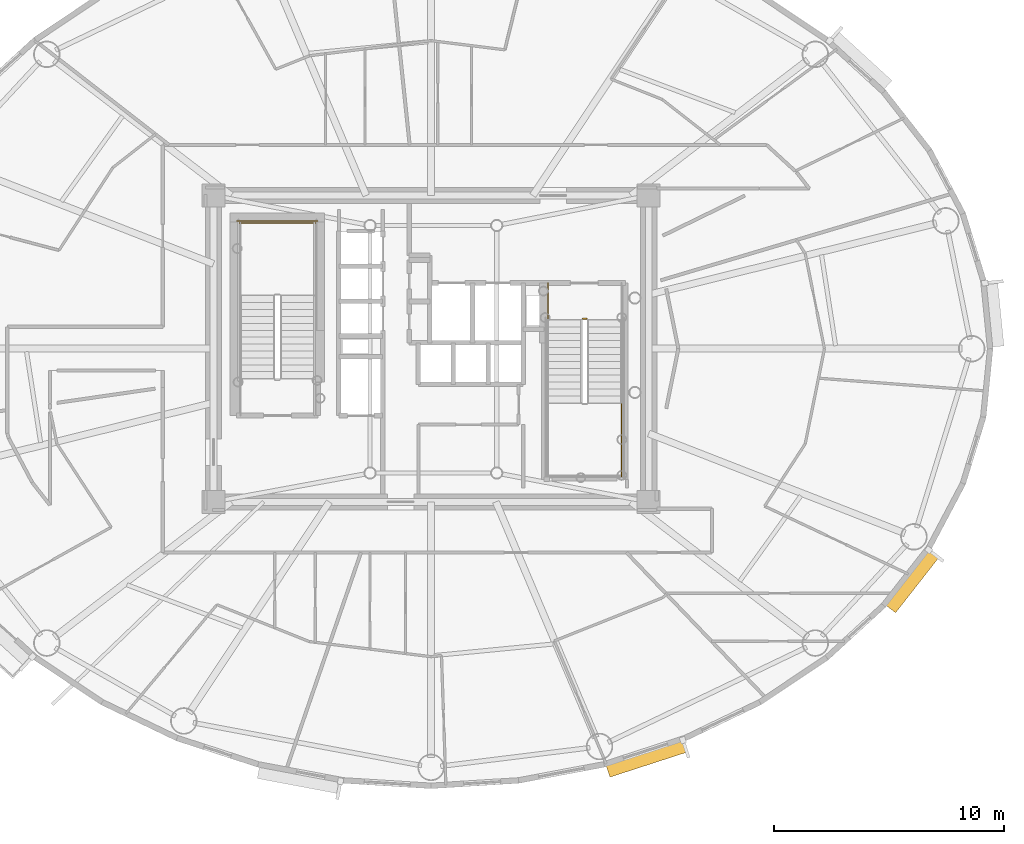
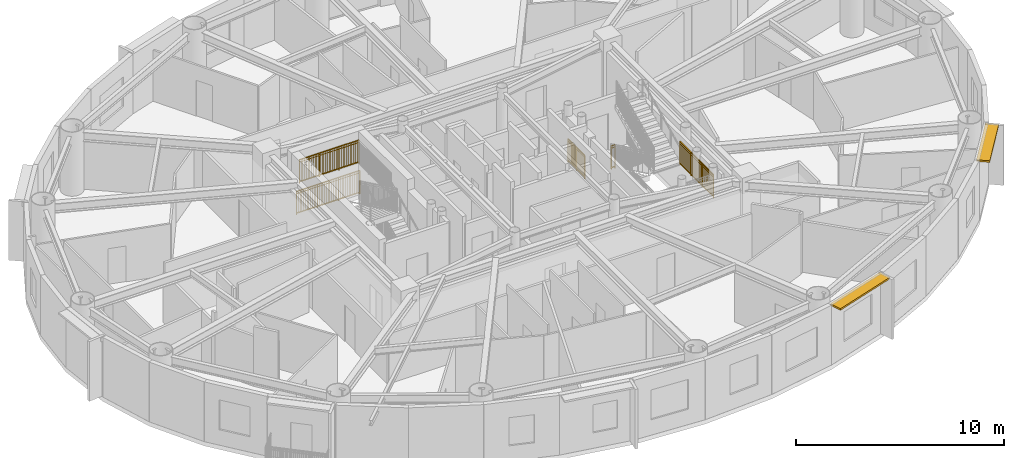
# One storey, part 16 of 18: 5 railings, 2 shading devices.
"""IFC4 building model written with IfcOpenShell, lengths in metres."""

from ifc_helpers import new_model, si_unit, direction, frame, origin, origin_2d, place, context, subcontext, project, spatial, rectangle, extrude, source, transform, mapped, material, layer, layer_set, type_object, element, save


model = new_model("IFC4")

# Units and contexts
model_context = context("Model", 3, precision=1e-05, world=origin(), true_north=direction((0.0, 1.0)))
body_context = subcontext(model_context, "Body", "Model", "MODEL_VIEW")
ifc_project = project(units=[si_unit("LENGTHUNIT", "METRE"), si_unit("AREAUNIT", "SQUARE_METRE"), si_unit("VOLUMEUNIT", "CUBIC_METRE"), si_unit("PLANEANGLEUNIT", "RADIAN"), si_unit("MASSUNIT", "GRAM", prefix="KILO")], contexts=[model_context])

# Site, building, storey
site_placement = place(None, origin())
site = spatial("IfcSite", under=ifc_project, at=site_placement, CompositionType="ELEMENT")
building_placement = place(site_placement, origin())
building = spatial("IfcBuilding", under=site, at=building_placement, Name="Linh Dai School and Residence Tower", CompositionType="ELEMENT")
storey_placement = place(building_placement, frame((0.0, 0.0, 240.300048828125)))
storey = spatial("IfcBuildingStorey", under=building, at=storey_placement, Name="L59", CompositionType="ELEMENT", Elevation=240.300048828125)

# Shading devices
ifc_material_1 = material(Name="Terracotta Ceramic Sunshade", Category="masonry")
ifc_layer = layer(ifc_material_1, 0.10009765625)
ifc_layer_set = layer_set([ifc_layer], Name="Terracotta Ceramic Sunshade")
shading_device_type = type_object("IfcShadingDeviceType", Name="SHD-TC-650", PredefinedType="USERDEFINED", material=ifc_layer_set)
shared_shape_1 = source(origin(), body_context, "Body", "SweptSolid", [
    extrude(rectangle(XDim=3.554443359375, YDim=0.64990234375, at=origin_2d()), origin(), (0.0, 0.0, 1.0), 0.10009765625),
])
shading_device_1_placement = place(storey_placement, frame((45.358154296875, 9.251220703125, 3.3798828125), z_axis=(0.0, 0.0, 1.0), x_axis=(-0.951223997135, -0.308501065272, 0.0)))
element("IfcShadingDevice", 1, at=shading_device_1_placement, inside=storey, type_object=shading_device_type, Name="L59 Terracotta Horizontal Sunshade Band 33", ObjectType="SUNSHADE", PredefinedType="USERDEFINED", context=body_context, shape_type="MappedRepresentation", body=[
    mapped(shared_shape_1, transform((0.0, 0.0, 0.0), x_axis=(1.0, 0.0, 0.0), y_axis=(0.0, 1.0, 0.0), z_axis=(0.0, 0.0, 1.0), scale=1.0)),
])
shared_shape_2 = source(origin(), body_context, "Body", "SweptSolid", [
    extrude(rectangle(XDim=3.095703125, YDim=0.64990234375, at=origin_2d()), origin(), (0.0, 0.0, 1.0), 0.10009765625),
])
shading_device_2_placement = place(storey_placement, frame((56.866455078125, 16.949462890625, 3.3798828125), z_axis=(0.0, 0.0, 1.0), x_axis=(-0.616333598027, -0.787485171888, 0.0)))
element("IfcShadingDevice", 2, at=shading_device_2_placement, inside=storey, type_object=shading_device_type, Name="L59 Terracotta Horizontal Sunshade Band 37", ObjectType="SUNSHADE", PredefinedType="USERDEFINED", context=body_context, shape_type="MappedRepresentation", body=[
    mapped(shared_shape_2, transform((0.0, 0.0, 0.0), x_axis=(1.0, 0.0, 0.0), y_axis=(0.0, 1.0, 0.0), z_axis=(0.0, 0.0, 1.0), scale=1.0)),
])

# Railings
ifc_material_2 = material(Name="Structural Steel S355JR", Category="steel")
railing_type = type_object("IfcRailingType", Name="RL-ST-GUARD-1400", PredefinedType="GUARDRAIL", material=ifc_material_2)
shared_shape_3 = source(origin(), body_context, "Body", "SweptSolid", [
    extrude(rectangle(XDim=0.048095703125, YDim=0.048095703125, at=origin_2d()), frame((0.0, 0.0, 1.3759765625), z_axis=(-1.0, 0.0, 0.0), x_axis=(0.0, -1.0, 0.0)), (0.0, 0.0, 1.0), 3.300048828125),
    extrude(rectangle(XDim=0.048095703125, YDim=0.048095703125, at=origin_2d()), frame((0.0, 0.0, 0.10009765625), z_axis=(-1.0, 0.0, 0.0), x_axis=(0.0, -1.0, 0.0)), (0.0, 0.0, 1.0), 3.300048828125),
    extrude(rectangle(XDim=0.030029296875, YDim=0.030029296875, at=origin_2d()), frame((0.0, 0.0, 1.239990234375), z_axis=(-1.0, 0.0, 0.0), x_axis=(0.0, -1.0, 0.0)), (0.0, 0.0, 1.0), 3.300048828125),
    extrude(rectangle(XDim=0.02001953125, YDim=0.02001953125, at=origin_2d()), frame((-0.09716796875, 0.0, 0.10009765625)), (0.0, 0.0, 1.0), 1.251708984375),
    extrude(rectangle(XDim=0.02001953125, YDim=0.02001953125, at=origin_2d()), frame((-0.194091796875, 0.0, 0.10009765625)), (0.0, 0.0, 1.0), 1.251708984375),
    extrude(rectangle(XDim=0.02001953125, YDim=0.02001953125, at=origin_2d()), frame((-0.291259765625, 0.0, 0.10009765625)), (0.0, 0.0, 1.0), 1.251708984375),
    extrude(rectangle(XDim=0.02001953125, YDim=0.02001953125, at=origin_2d()), frame((-0.38818359375, 0.0, 0.10009765625)), (0.0, 0.0, 1.0), 1.251708984375),
    extrude(rectangle(XDim=0.02001953125, YDim=0.02001953125, at=origin_2d()), frame((-0.4853515625, 0.0, 0.10009765625)), (0.0, 0.0, 1.0), 1.251708984375),
    extrude(rectangle(XDim=0.02001953125, YDim=0.02001953125, at=origin_2d()), frame((-0.582275390625, 0.0, 0.10009765625)), (0.0, 0.0, 1.0), 1.251708984375),
    extrude(rectangle(XDim=0.02001953125, YDim=0.02001953125, at=origin_2d()), frame((-0.679443359375, 0.0, 0.10009765625)), (0.0, 0.0, 1.0), 1.251708984375),
    extrude(rectangle(XDim=0.02001953125, YDim=0.02001953125, at=origin_2d()), frame((-0.7763671875, 0.0, 0.10009765625)), (0.0, 0.0, 1.0), 1.251708984375),
    extrude(rectangle(XDim=0.02001953125, YDim=0.02001953125, at=origin_2d()), frame((-0.87353515625, 0.0, 0.10009765625)), (0.0, 0.0, 1.0), 1.251708984375),
    extrude(rectangle(XDim=0.02001953125, YDim=0.02001953125, at=origin_2d()), frame((-0.970703125, 0.0, 0.10009765625)), (0.0, 0.0, 1.0), 1.251708984375),
    extrude(rectangle(XDim=0.02001953125, YDim=0.02001953125, at=origin_2d()), frame((-1.164794921875, 0.0, 0.10009765625)), (0.0, 0.0, 1.0), 1.251708984375),
    extrude(rectangle(XDim=0.02001953125, YDim=0.02001953125, at=origin_2d()), frame((-1.26171875, 0.0, 0.10009765625)), (0.0, 0.0, 1.0), 1.251708984375),
    extrude(rectangle(XDim=0.02001953125, YDim=0.02001953125, at=origin_2d()), frame((-1.35888671875, 0.0, 0.10009765625)), (0.0, 0.0, 1.0), 1.251708984375),
    extrude(rectangle(XDim=0.02001953125, YDim=0.02001953125, at=origin_2d()), frame((-1.455810546875, 0.0, 0.10009765625)), (0.0, 0.0, 1.0), 1.251708984375),
    extrude(rectangle(XDim=0.02001953125, YDim=0.02001953125, at=origin_2d()), frame((-1.552978515625, 0.0, 0.10009765625)), (0.0, 0.0, 1.0), 1.251708984375),
    extrude(rectangle(XDim=0.02001953125, YDim=0.02001953125, at=origin_2d()), frame((-1.64990234375, 0.0, 0.10009765625)), (0.0, 0.0, 1.0), 1.251708984375),
    extrude(rectangle(XDim=0.02001953125, YDim=0.02001953125, at=origin_2d()), frame((-1.7470703125, 0.0, 0.10009765625)), (0.0, 0.0, 1.0), 1.251708984375),
    extrude(rectangle(XDim=0.02001953125, YDim=0.02001953125, at=origin_2d()), frame((-1.84423828125, 0.0, 0.10009765625)), (0.0, 0.0, 1.0), 1.251708984375),
    extrude(rectangle(XDim=0.02001953125, YDim=0.02001953125, at=origin_2d()), frame((-1.941162109375, 0.0, 0.10009765625)), (0.0, 0.0, 1.0), 1.251708984375),
    extrude(rectangle(XDim=0.02001953125, YDim=0.02001953125, at=origin_2d()), frame((-2.038330078125, 0.0, 0.10009765625)), (0.0, 0.0, 1.0), 1.251708984375),
    extrude(rectangle(XDim=0.02001953125, YDim=0.02001953125, at=origin_2d()), frame((-2.13525390625, 0.0, 0.10009765625)), (0.0, 0.0, 1.0), 1.251708984375),
    extrude(rectangle(XDim=0.02001953125, YDim=0.02001953125, at=origin_2d()), frame((-2.329345703125, 0.0, 0.10009765625)), (0.0, 0.0, 1.0), 1.251708984375),
    extrude(rectangle(XDim=0.02001953125, YDim=0.02001953125, at=origin_2d()), frame((-2.426513671875, 0.0, 0.10009765625)), (0.0, 0.0, 1.0), 1.251708984375),
    extrude(rectangle(XDim=0.02001953125, YDim=0.02001953125, at=origin_2d()), frame((-2.523681640625, 0.0, 0.10009765625)), (0.0, 0.0, 1.0), 1.251708984375),
    extrude(rectangle(XDim=0.02001953125, YDim=0.02001953125, at=origin_2d()), frame((-2.62060546875, 0.0, 0.10009765625)), (0.0, 0.0, 1.0), 1.251708984375),
    extrude(rectangle(XDim=0.02001953125, YDim=0.02001953125, at=origin_2d()), frame((-2.7177734375, 0.0, 0.10009765625)), (0.0, 0.0, 1.0), 1.251708984375),
    extrude(rectangle(XDim=0.02001953125, YDim=0.02001953125, at=origin_2d()), frame((-2.814697265625, 0.0, 0.10009765625)), (0.0, 0.0, 1.0), 1.251708984375),
    extrude(rectangle(XDim=0.02001953125, YDim=0.02001953125, at=origin_2d()), frame((-2.911865234375, 0.0, 0.10009765625)), (0.0, 0.0, 1.0), 1.251708984375),
    extrude(rectangle(XDim=0.02001953125, YDim=0.02001953125, at=origin_2d()), frame((-3.0087890625, 0.0, 0.10009765625)), (0.0, 0.0, 1.0), 1.251708984375),
    extrude(rectangle(XDim=0.02001953125, YDim=0.02001953125, at=origin_2d()), frame((-3.10595703125, 0.0, 0.10009765625)), (0.0, 0.0, 1.0), 1.251708984375),
    extrude(rectangle(XDim=0.02001953125, YDim=0.02001953125, at=origin_2d()), frame((-3.202880859375, 0.0, 0.10009765625)), (0.0, 0.0, 1.0), 1.251708984375),
    extrude(rectangle(XDim=0.0419921875, YDim=0.0419921875, at=origin_2d()), origin(), (0.0, 0.0, 1.0), 1.3759765625),
    extrude(rectangle(XDim=0.0419921875, YDim=0.0419921875, at=origin_2d()), frame((-1.10009765625, 0.0, 0.0)), (0.0, 0.0, 1.0), 1.3759765625),
    extrude(rectangle(XDim=0.0419921875, YDim=0.0419921875, at=origin_2d()), frame((-2.199951171875, 0.0, 0.0)), (0.0, 0.0, 1.0), 1.3759765625),
    extrude(rectangle(XDim=0.0419921875, YDim=0.0419921875, at=origin_2d()), frame((-3.300048828125, 0.0, 0.0)), (0.0, 0.0, 1.0), 1.3759765625),
])
railing_1_placement = place(storey_placement, frame((30.97998046875, 32.449951171875, 1.875)))
element("IfcRailing", 3, at=railing_1_placement, inside=storey, type_object=railing_type, Name="L59 ST1 stair guard 5", PredefinedType="GUARDRAIL", context=body_context, shape_type="MappedRepresentation", body=[
    mapped(shared_shape_3, transform((0.0, 0.0, 0.0), x_axis=(1.0, 0.0, 0.0), y_axis=(0.0, 1.0, 0.0), z_axis=(0.0, 0.0, 1.0), scale=1.0)),
])
shared_shape_4 = source(origin(), body_context, "Body", "SweptSolid", [
    extrude(rectangle(XDim=0.048095703125, YDim=0.048095703125, at=origin_2d()), frame((0.0, 0.0, 1.3759765625), z_axis=(-1.0, 0.0, 0.0), x_axis=(0.0, -1.0, 0.0)), (0.0, 0.0, 1.0), 3.5),
    extrude(rectangle(XDim=0.048095703125, YDim=0.048095703125, at=origin_2d()), frame((0.0, 0.0, 0.10009765625), z_axis=(-1.0, 0.0, 0.0), x_axis=(0.0, -1.0, 0.0)), (0.0, 0.0, 1.0), 3.5),
    extrude(rectangle(XDim=0.030029296875, YDim=0.030029296875, at=origin_2d()), frame((0.0, 0.0, 1.239990234375), z_axis=(-1.0, 0.0, 0.0), x_axis=(0.0, -1.0, 0.0)), (0.0, 0.0, 1.0), 3.5),
    extrude(rectangle(XDim=0.02001953125, YDim=0.02001953125, at=origin_2d()), frame((-0.09716796875, 0.0, 0.10009765625)), (0.0, 0.0, 1.0), 1.251708984375),
    extrude(rectangle(XDim=0.02001953125, YDim=0.02001953125, at=origin_2d()), frame((-0.1943359375, 0.0, 0.10009765625)), (0.0, 0.0, 1.0), 1.251708984375),
    extrude(rectangle(XDim=0.02001953125, YDim=0.02001953125, at=origin_2d()), frame((-0.291748046875, 0.0, 0.10009765625)), (0.0, 0.0, 1.0), 1.251708984375),
    extrude(rectangle(XDim=0.02001953125, YDim=0.02001953125, at=origin_2d()), frame((-0.388916015625, 0.0, 0.10009765625)), (0.0, 0.0, 1.0), 1.251708984375),
    extrude(rectangle(XDim=0.02001953125, YDim=0.02001953125, at=origin_2d()), frame((-0.486083984375, 0.0, 0.10009765625)), (0.0, 0.0, 1.0), 1.251708984375),
    extrude(rectangle(XDim=0.02001953125, YDim=0.02001953125, at=origin_2d()), frame((-0.583251953125, 0.0, 0.10009765625)), (0.0, 0.0, 1.0), 1.251708984375),
    extrude(rectangle(XDim=0.02001953125, YDim=0.02001953125, at=origin_2d()), frame((-0.6806640625, 0.0, 0.10009765625)), (0.0, 0.0, 1.0), 1.251708984375),
    extrude(rectangle(XDim=0.02001953125, YDim=0.02001953125, at=origin_2d()), frame((-0.77783203125, 0.0, 0.10009765625)), (0.0, 0.0, 1.0), 1.251708984375),
    extrude(rectangle(XDim=0.02001953125, YDim=0.02001953125, at=origin_2d()), frame((-0.875, 0.0, 0.10009765625)), (0.0, 0.0, 1.0), 1.251708984375),
    extrude(rectangle(XDim=0.02001953125, YDim=0.02001953125, at=origin_2d()), frame((-0.97216796875, 0.0, 0.10009765625)), (0.0, 0.0, 1.0), 1.251708984375),
    extrude(rectangle(XDim=0.02001953125, YDim=0.02001953125, at=origin_2d()), frame((-1.0693359375, 0.0, 0.10009765625)), (0.0, 0.0, 1.0), 1.251708984375),
    extrude(rectangle(XDim=0.02001953125, YDim=0.02001953125, at=origin_2d()), frame((-1.263916015625, 0.0, 0.10009765625)), (0.0, 0.0, 1.0), 1.251708984375),
    extrude(rectangle(XDim=0.02001953125, YDim=0.02001953125, at=origin_2d()), frame((-1.361083984375, 0.0, 0.10009765625)), (0.0, 0.0, 1.0), 1.251708984375),
    extrude(rectangle(XDim=0.02001953125, YDim=0.02001953125, at=origin_2d()), frame((-1.458251953125, 0.0, 0.10009765625)), (0.0, 0.0, 1.0), 1.251708984375),
    extrude(rectangle(XDim=0.02001953125, YDim=0.02001953125, at=origin_2d()), frame((-1.5556640625, 0.0, 0.10009765625)), (0.0, 0.0, 1.0), 1.251708984375),
    extrude(rectangle(XDim=0.02001953125, YDim=0.02001953125, at=origin_2d()), frame((-1.65283203125, 0.0, 0.10009765625)), (0.0, 0.0, 1.0), 1.251708984375),
    extrude(rectangle(XDim=0.02001953125, YDim=0.02001953125, at=origin_2d()), frame((-1.75, 0.0, 0.10009765625)), (0.0, 0.0, 1.0), 1.251708984375),
    extrude(rectangle(XDim=0.02001953125, YDim=0.02001953125, at=origin_2d()), frame((-1.84716796875, 0.0, 0.10009765625)), (0.0, 0.0, 1.0), 1.251708984375),
    extrude(rectangle(XDim=0.02001953125, YDim=0.02001953125, at=origin_2d()), frame((-1.9443359375, 0.0, 0.10009765625)), (0.0, 0.0, 1.0), 1.251708984375),
    extrude(rectangle(XDim=0.02001953125, YDim=0.02001953125, at=origin_2d()), frame((-2.041748046875, 0.0, 0.10009765625)), (0.0, 0.0, 1.0), 1.251708984375),
    extrude(rectangle(XDim=0.02001953125, YDim=0.02001953125, at=origin_2d()), frame((-2.138916015625, 0.0, 0.10009765625)), (0.0, 0.0, 1.0), 1.251708984375),
    extrude(rectangle(XDim=0.02001953125, YDim=0.02001953125, at=origin_2d()), frame((-2.236083984375, 0.0, 0.10009765625)), (0.0, 0.0, 1.0), 1.251708984375),
    extrude(rectangle(XDim=0.02001953125, YDim=0.02001953125, at=origin_2d()), frame((-2.4306640625, 0.0, 0.10009765625)), (0.0, 0.0, 1.0), 1.251708984375),
    extrude(rectangle(XDim=0.02001953125, YDim=0.02001953125, at=origin_2d()), frame((-2.52783203125, 0.0, 0.10009765625)), (0.0, 0.0, 1.0), 1.251708984375),
    extrude(rectangle(XDim=0.02001953125, YDim=0.02001953125, at=origin_2d()), frame((-2.625, 0.0, 0.10009765625)), (0.0, 0.0, 1.0), 1.251708984375),
    extrude(rectangle(XDim=0.02001953125, YDim=0.02001953125, at=origin_2d()), frame((-2.72216796875, 0.0, 0.10009765625)), (0.0, 0.0, 1.0), 1.251708984375),
    extrude(rectangle(XDim=0.02001953125, YDim=0.02001953125, at=origin_2d()), frame((-2.8193359375, 0.0, 0.10009765625)), (0.0, 0.0, 1.0), 1.251708984375),
    extrude(rectangle(XDim=0.02001953125, YDim=0.02001953125, at=origin_2d()), frame((-2.916748046875, 0.0, 0.10009765625)), (0.0, 0.0, 1.0), 1.251708984375),
    extrude(rectangle(XDim=0.02001953125, YDim=0.02001953125, at=origin_2d()), frame((-3.013916015625, 0.0, 0.10009765625)), (0.0, 0.0, 1.0), 1.251708984375),
    extrude(rectangle(XDim=0.02001953125, YDim=0.02001953125, at=origin_2d()), frame((-3.111083984375, 0.0, 0.10009765625)), (0.0, 0.0, 1.0), 1.251708984375),
    extrude(rectangle(XDim=0.02001953125, YDim=0.02001953125, at=origin_2d()), frame((-3.208251953125, 0.0, 0.10009765625)), (0.0, 0.0, 1.0), 1.251708984375),
    extrude(rectangle(XDim=0.02001953125, YDim=0.02001953125, at=origin_2d()), frame((-3.3056640625, 0.0, 0.10009765625)), (0.0, 0.0, 1.0), 1.251708984375),
    extrude(rectangle(XDim=0.02001953125, YDim=0.02001953125, at=origin_2d()), frame((-3.40283203125, 0.0, 0.10009765625)), (0.0, 0.0, 1.0), 1.251708984375),
    extrude(rectangle(XDim=0.0419921875, YDim=0.0419921875, at=origin_2d()), origin(), (0.0, 0.0, 1.0), 1.3759765625),
    extrude(rectangle(XDim=0.0419921875, YDim=0.0419921875, at=origin_2d()), frame((-1.166748046875, 0.0, 0.0)), (0.0, 0.0, 1.0), 1.3759765625),
    extrude(rectangle(XDim=0.0419921875, YDim=0.0419921875, at=origin_2d()), frame((-2.333251953125, 0.0, 0.0)), (0.0, 0.0, 1.0), 1.3759765625),
    extrude(rectangle(XDim=0.0419921875, YDim=0.0419921875, at=origin_2d()), frame((-3.5, 0.0, 0.0)), (0.0, 0.0, 1.0), 1.3759765625),
])
railing_2_placement = place(storey_placement, frame((31.080078125, 32.550048828125, 0.0)))
element("IfcRailing", 4, at=railing_2_placement, inside=storey, type_object=railing_type, Name="L59 ST1 stair guard 12", PredefinedType="GUARDRAIL", context=body_context, shape_type="MappedRepresentation", body=[
    mapped(shared_shape_4, transform((0.0, 0.0, 0.0), x_axis=(1.0, 0.0, 0.0), y_axis=(0.0, 1.0, 0.0), z_axis=(0.0, 0.0, 1.0), scale=1.0)),
])
shared_shape_5 = source(origin(), body_context, "Body", "SweptSolid", [
    extrude(rectangle(XDim=0.048095703125, YDim=0.048095703125, at=origin_2d()), frame((0.0, 0.0, 1.3759765625), z_axis=(1.0, 0.0, 0.0), x_axis=(0.0, 1.0, 0.0)), (0.0, 0.0, 1.0), 0.199951171875),
    extrude(rectangle(XDim=0.048095703125, YDim=0.048095703125, at=origin_2d()), frame((0.0, 0.0, 0.10009765625), z_axis=(1.0, 0.0, 0.0), x_axis=(0.0, 1.0, 0.0)), (0.0, 0.0, 1.0), 0.199951171875),
    extrude(rectangle(XDim=0.030029296875, YDim=0.030029296875, at=origin_2d()), frame((0.0, 0.0, 1.239990234375), z_axis=(1.0, 0.0, 0.0), x_axis=(0.0, 1.0, 0.0)), (0.0, 0.0, 1.0), 0.199951171875),
    extrude(rectangle(XDim=0.0419921875, YDim=0.0419921875, at=origin_2d()), origin(), (0.0, 0.0, 1.0), 1.3759765625),
    extrude(rectangle(XDim=0.0419921875, YDim=0.0419921875, at=origin_2d()), frame((0.199951171875, 0.0, 0.0)), (0.0, 0.0, 1.0), 1.3759765625),
])
railing_3_placement = place(storey_placement, frame((42.570068359375, 28.300048828125, 0.0)))
element("IfcRailing", 5, at=railing_3_placement, inside=storey, type_object=railing_type, Name="L59 ST2 stair guard 7", PredefinedType="GUARDRAIL", context=body_context, shape_type="MappedRepresentation", body=[
    mapped(shared_shape_5, transform((0.0, 0.0, 0.0), x_axis=(1.0, 0.0, 0.0), y_axis=(0.0, 1.0, 0.0), z_axis=(0.0, 0.0, 1.0), scale=1.0)),
])
shared_shape_6 = source(origin(), body_context, "Body", "SweptSolid", [
    extrude(rectangle(XDim=0.048095703125, YDim=0.048095703125, at=origin_2d()), frame((0.0, 0.0, 1.3759765625), z_axis=(0.0, -1.0, 0.0), x_axis=(1.0, 0.0, 0.0)), (0.0, 0.0, 1.0), 1.60009765625),
    extrude(rectangle(XDim=0.048095703125, YDim=0.048095703125, at=origin_2d()), frame((0.0, 0.0, 0.10009765625), z_axis=(0.0, -1.0, 0.0), x_axis=(1.0, 0.0, 0.0)), (0.0, 0.0, 1.0), 1.60009765625),
    extrude(rectangle(XDim=0.030029296875, YDim=0.030029296875, at=origin_2d()), frame((0.0, 0.0, 1.239990234375), z_axis=(0.0, -1.0, 0.0), x_axis=(1.0, 0.0, 0.0)), (0.0, 0.0, 1.0), 1.60009765625),
    extrude(rectangle(XDim=0.02001953125, YDim=0.02001953125, at=origin_2d()), frame((0.0, -0.09423828125, 0.10009765625)), (0.0, 0.0, 1.0), 1.251708984375),
    extrude(rectangle(XDim=0.02001953125, YDim=0.02001953125, at=origin_2d()), frame((0.0, -0.188232421875, 0.10009765625)), (0.0, 0.0, 1.0), 1.251708984375),
    extrude(rectangle(XDim=0.02001953125, YDim=0.02001953125, at=origin_2d()), frame((0.0, -0.282470703125, 0.10009765625)), (0.0, 0.0, 1.0), 1.251708984375),
    extrude(rectangle(XDim=0.02001953125, YDim=0.02001953125, at=origin_2d()), frame((0.0, -0.37646484375, 0.10009765625)), (0.0, 0.0, 1.0), 1.251708984375),
    extrude(rectangle(XDim=0.02001953125, YDim=0.02001953125, at=origin_2d()), frame((0.0, -0.470703125, 0.10009765625)), (0.0, 0.0, 1.0), 1.251708984375),
    extrude(rectangle(XDim=0.02001953125, YDim=0.02001953125, at=origin_2d()), frame((0.0, -0.564697265625, 0.10009765625)), (0.0, 0.0, 1.0), 1.251708984375),
    extrude(rectangle(XDim=0.02001953125, YDim=0.02001953125, at=origin_2d()), frame((0.0, -0.658935546875, 0.10009765625)), (0.0, 0.0, 1.0), 1.251708984375),
    extrude(rectangle(XDim=0.02001953125, YDim=0.02001953125, at=origin_2d()), frame((0.0, -0.7529296875, 0.10009765625)), (0.0, 0.0, 1.0), 1.251708984375),
    extrude(rectangle(XDim=0.02001953125, YDim=0.02001953125, at=origin_2d()), frame((0.0, -0.84716796875, 0.10009765625)), (0.0, 0.0, 1.0), 1.251708984375),
    extrude(rectangle(XDim=0.02001953125, YDim=0.02001953125, at=origin_2d()), frame((0.0, -0.941162109375, 0.10009765625)), (0.0, 0.0, 1.0), 1.251708984375),
    extrude(rectangle(XDim=0.02001953125, YDim=0.02001953125, at=origin_2d()), frame((0.0, -1.035400390625, 0.10009765625)), (0.0, 0.0, 1.0), 1.251708984375),
    extrude(rectangle(XDim=0.02001953125, YDim=0.02001953125, at=origin_2d()), frame((0.0, -1.12939453125, 0.10009765625)), (0.0, 0.0, 1.0), 1.251708984375),
    extrude(rectangle(XDim=0.02001953125, YDim=0.02001953125, at=origin_2d()), frame((0.0, -1.2236328125, 0.10009765625)), (0.0, 0.0, 1.0), 1.251708984375),
    extrude(rectangle(XDim=0.02001953125, YDim=0.02001953125, at=origin_2d()), frame((0.0, -1.317626953125, 0.10009765625)), (0.0, 0.0, 1.0), 1.251708984375),
    extrude(rectangle(XDim=0.02001953125, YDim=0.02001953125, at=origin_2d()), frame((0.0, -1.411865234375, 0.10009765625)), (0.0, 0.0, 1.0), 1.251708984375),
    extrude(rectangle(XDim=0.02001953125, YDim=0.02001953125, at=origin_2d()), frame((0.0, -1.505859375, 0.10009765625)), (0.0, 0.0, 1.0), 1.251708984375),
    extrude(rectangle(XDim=0.0419921875, YDim=0.0419921875, at=origin_2d()), origin(), (0.0, 0.0, 1.0), 1.3759765625),
    extrude(rectangle(XDim=0.0419921875, YDim=0.0419921875, at=origin_2d()), frame((0.0, -0.800048828125, 0.0)), (0.0, 0.0, 1.0), 1.3759765625),
    extrude(rectangle(XDim=0.0419921875, YDim=0.0419921875, at=origin_2d()), frame((0.0, -1.60009765625, 0.0)), (0.0, 0.0, 1.0), 1.3759765625),
])
railing_4_placement = place(storey_placement, frame((41.070068359375, 29.85009765625, 0.0)))
element("IfcRailing", 6, at=railing_4_placement, inside=storey, type_object=railing_type, Name="L59 ST2 stair guard 8", PredefinedType="GUARDRAIL", context=body_context, shape_type="MappedRepresentation", body=[
    mapped(shared_shape_6, transform((0.0, 0.0, 0.0), x_axis=(1.0, 0.0, 0.0), y_axis=(0.0, 1.0, 0.0), z_axis=(0.0, 0.0, 1.0), scale=1.0)),
])
shared_shape_7 = source(origin(), body_context, "Body", "SweptSolid", [
    extrude(rectangle(XDim=0.048095703125, YDim=0.048095703125, at=origin_2d()), frame((0.0, 0.0, 1.3759765625), z_axis=(0.0, -1.0, 0.0), x_axis=(1.0, 0.0, 0.0)), (0.0, 0.0, 1.0), 3.199951171875),
    extrude(rectangle(XDim=0.048095703125, YDim=0.048095703125, at=origin_2d()), frame((0.0, 0.0, 0.10009765625), z_axis=(0.0, -1.0, 0.0), x_axis=(1.0, 0.0, 0.0)), (0.0, 0.0, 1.0), 3.199951171875),
    extrude(rectangle(XDim=0.030029296875, YDim=0.030029296875, at=origin_2d()), frame((0.0, 0.0, 1.239990234375), z_axis=(0.0, -1.0, 0.0), x_axis=(1.0, 0.0, 0.0)), (0.0, 0.0, 1.0), 3.199951171875),
    extrude(rectangle(XDim=0.02001953125, YDim=0.02001953125, at=origin_2d()), frame((0.0, -0.096923828125, 0.10009765625)), (0.0, 0.0, 1.0), 1.251708984375),
    extrude(rectangle(XDim=0.02001953125, YDim=0.02001953125, at=origin_2d()), frame((0.0, -0.19384765625, 0.10009765625)), (0.0, 0.0, 1.0), 1.251708984375),
    extrude(rectangle(XDim=0.02001953125, YDim=0.02001953125, at=origin_2d()), frame((0.0, -0.291015625, 0.10009765625)), (0.0, 0.0, 1.0), 1.251708984375),
    extrude(rectangle(XDim=0.02001953125, YDim=0.02001953125, at=origin_2d()), frame((0.0, -0.387939453125, 0.10009765625)), (0.0, 0.0, 1.0), 1.251708984375),
    extrude(rectangle(XDim=0.02001953125, YDim=0.02001953125, at=origin_2d()), frame((0.0, -0.48486328125, 0.10009765625)), (0.0, 0.0, 1.0), 1.251708984375),
    extrude(rectangle(XDim=0.02001953125, YDim=0.02001953125, at=origin_2d()), frame((0.0, -0.581787109375, 0.10009765625)), (0.0, 0.0, 1.0), 1.251708984375),
    extrude(rectangle(XDim=0.02001953125, YDim=0.02001953125, at=origin_2d()), frame((0.0, -0.6787109375, 0.10009765625)), (0.0, 0.0, 1.0), 1.251708984375),
    extrude(rectangle(XDim=0.02001953125, YDim=0.02001953125, at=origin_2d()), frame((0.0, -0.775634765625, 0.10009765625)), (0.0, 0.0, 1.0), 1.251708984375),
    extrude(rectangle(XDim=0.02001953125, YDim=0.02001953125, at=origin_2d()), frame((0.0, -0.872802734375, 0.10009765625)), (0.0, 0.0, 1.0), 1.251708984375),
    extrude(rectangle(XDim=0.02001953125, YDim=0.02001953125, at=origin_2d()), frame((0.0, -0.9697265625, 0.10009765625)), (0.0, 0.0, 1.0), 1.251708984375),
    extrude(rectangle(XDim=0.02001953125, YDim=0.02001953125, at=origin_2d()), frame((0.0, -1.16357421875, 0.10009765625)), (0.0, 0.0, 1.0), 1.251708984375),
    extrude(rectangle(XDim=0.02001953125, YDim=0.02001953125, at=origin_2d()), frame((0.0, -1.260498046875, 0.10009765625)), (0.0, 0.0, 1.0), 1.251708984375),
    extrude(rectangle(XDim=0.02001953125, YDim=0.02001953125, at=origin_2d()), frame((0.0, -1.357666015625, 0.10009765625)), (0.0, 0.0, 1.0), 1.251708984375),
    extrude(rectangle(XDim=0.02001953125, YDim=0.02001953125, at=origin_2d()), frame((0.0, -1.45458984375, 0.10009765625)), (0.0, 0.0, 1.0), 1.251708984375),
    extrude(rectangle(XDim=0.02001953125, YDim=0.02001953125, at=origin_2d()), frame((0.0, -1.551513671875, 0.10009765625)), (0.0, 0.0, 1.0), 1.251708984375),
    extrude(rectangle(XDim=0.02001953125, YDim=0.02001953125, at=origin_2d()), frame((0.0, -1.6484375, 0.10009765625)), (0.0, 0.0, 1.0), 1.251708984375),
    extrude(rectangle(XDim=0.02001953125, YDim=0.02001953125, at=origin_2d()), frame((0.0, -1.745361328125, 0.10009765625)), (0.0, 0.0, 1.0), 1.251708984375),
    extrude(rectangle(XDim=0.02001953125, YDim=0.02001953125, at=origin_2d()), frame((0.0, -1.84228515625, 0.10009765625)), (0.0, 0.0, 1.0), 1.251708984375),
    extrude(rectangle(XDim=0.02001953125, YDim=0.02001953125, at=origin_2d()), frame((0.0, -1.939453125, 0.10009765625)), (0.0, 0.0, 1.0), 1.251708984375),
    extrude(rectangle(XDim=0.02001953125, YDim=0.02001953125, at=origin_2d()), frame((0.0, -2.036376953125, 0.10009765625)), (0.0, 0.0, 1.0), 1.251708984375),
    extrude(rectangle(XDim=0.02001953125, YDim=0.02001953125, at=origin_2d()), frame((0.0, -2.230224609375, 0.10009765625)), (0.0, 0.0, 1.0), 1.251708984375),
    extrude(rectangle(XDim=0.02001953125, YDim=0.02001953125, at=origin_2d()), frame((0.0, -2.3271484375, 0.10009765625)), (0.0, 0.0, 1.0), 1.251708984375),
    extrude(rectangle(XDim=0.02001953125, YDim=0.02001953125, at=origin_2d()), frame((0.0, -2.42431640625, 0.10009765625)), (0.0, 0.0, 1.0), 1.251708984375),
    extrude(rectangle(XDim=0.02001953125, YDim=0.02001953125, at=origin_2d()), frame((0.0, -2.521240234375, 0.10009765625)), (0.0, 0.0, 1.0), 1.251708984375),
    extrude(rectangle(XDim=0.02001953125, YDim=0.02001953125, at=origin_2d()), frame((0.0, -2.6181640625, 0.10009765625)), (0.0, 0.0, 1.0), 1.251708984375),
    extrude(rectangle(XDim=0.02001953125, YDim=0.02001953125, at=origin_2d()), frame((0.0, -2.715087890625, 0.10009765625)), (0.0, 0.0, 1.0), 1.251708984375),
    extrude(rectangle(XDim=0.02001953125, YDim=0.02001953125, at=origin_2d()), frame((0.0, -2.81201171875, 0.10009765625)), (0.0, 0.0, 1.0), 1.251708984375),
    extrude(rectangle(XDim=0.02001953125, YDim=0.02001953125, at=origin_2d()), frame((0.0, -2.908935546875, 0.10009765625)), (0.0, 0.0, 1.0), 1.251708984375),
    extrude(rectangle(XDim=0.02001953125, YDim=0.02001953125, at=origin_2d()), frame((0.0, -3.006103515625, 0.10009765625)), (0.0, 0.0, 1.0), 1.251708984375),
    extrude(rectangle(XDim=0.02001953125, YDim=0.02001953125, at=origin_2d()), frame((0.0, -3.10302734375, 0.10009765625)), (0.0, 0.0, 1.0), 1.251708984375),
    extrude(rectangle(XDim=0.0419921875, YDim=0.0419921875, at=origin_2d()), origin(), (0.0, 0.0, 1.0), 1.3759765625),
    extrude(rectangle(XDim=0.0419921875, YDim=0.0419921875, at=origin_2d()), frame((0.0, -1.066650390625, 0.0)), (0.0, 0.0, 1.0), 1.3759765625),
    extrude(rectangle(XDim=0.0419921875, YDim=0.0419921875, at=origin_2d()), frame((0.0, -2.13330078125, 0.0)), (0.0, 0.0, 1.0), 1.3759765625),
    extrude(rectangle(XDim=0.0419921875, YDim=0.0419921875, at=origin_2d()), frame((0.0, -3.199951171875, 0.0)), (0.0, 0.0, 1.0), 1.3759765625),
])
railing_5_placement = place(storey_placement, frame((44.27001953125, 24.64990234375, 1.875)))
element("IfcRailing", 7, at=railing_5_placement, inside=storey, type_object=railing_type, Name="L59 ST2 stair guard 4", PredefinedType="GUARDRAIL", context=body_context, shape_type="MappedRepresentation", body=[
    mapped(shared_shape_7, transform((0.0, 0.0, 0.0), x_axis=(1.0, 0.0, 0.0), y_axis=(0.0, 1.0, 0.0), z_axis=(0.0, 0.0, 1.0), scale=1.0)),
])

save(model, "model.ifc")
